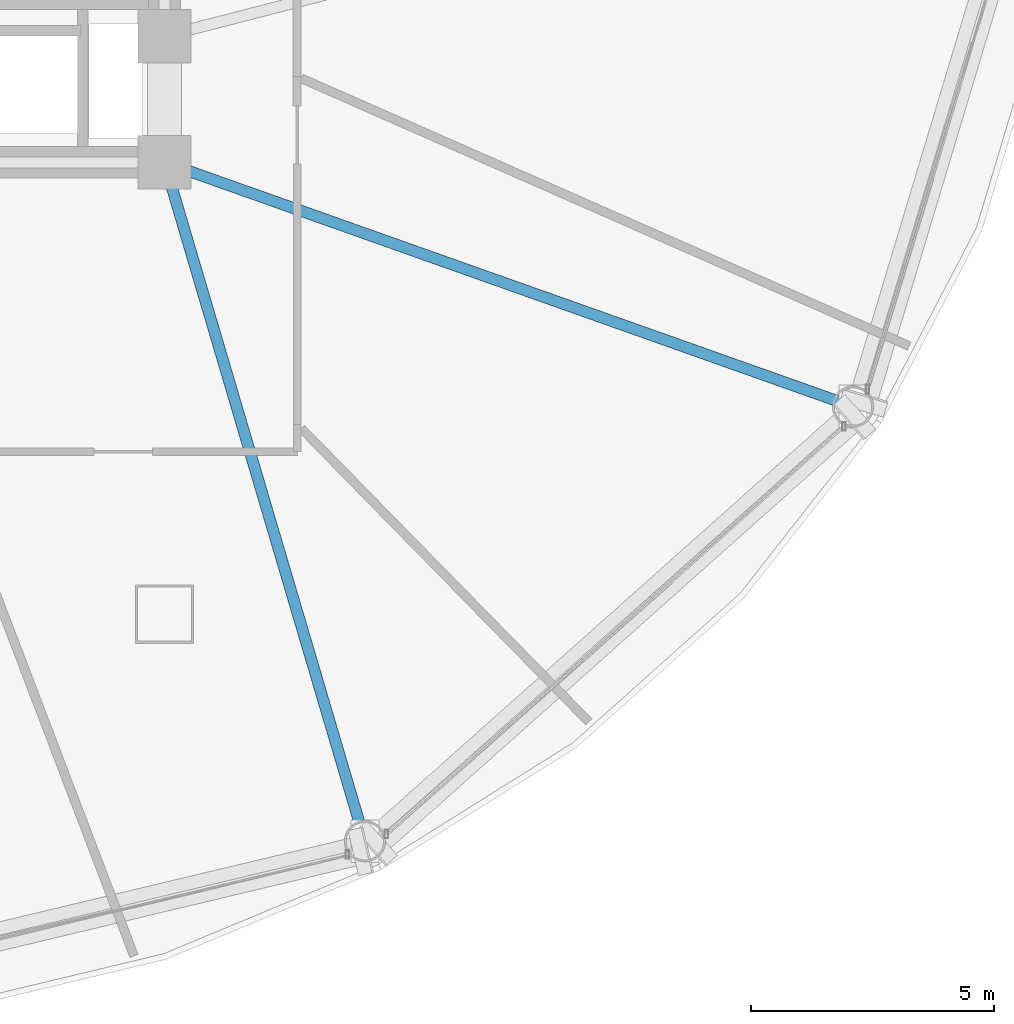
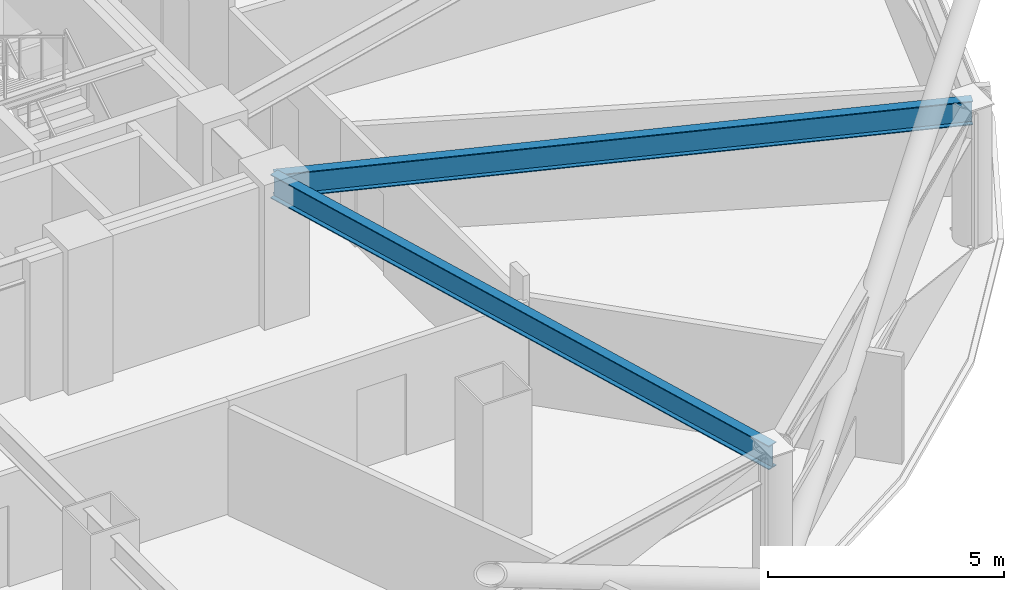
# One storey, part 9 of 30: 2 beams.
"""IFC4 building model written with IfcOpenShell, lengths in metres."""

from ifc_helpers import new_model, si_unit, direction, frame, origin, origin_2d, place, context, subcontext, project, spatial, i_section, extrude, material, material_profile, profile_set, type_object, element, save


model = new_model("IFC4")

# Units and contexts
model_context = context("Model", 3, precision=1e-05, world=origin(), true_north=direction((0.0, 1.0)))
body_context = subcontext(model_context, "Body", "Model", "MODEL_VIEW")
ifc_project = project(units=[si_unit("LENGTHUNIT", "METRE"), si_unit("AREAUNIT", "SQUARE_METRE"), si_unit("VOLUMEUNIT", "CUBIC_METRE"), si_unit("PLANEANGLEUNIT", "RADIAN"), si_unit("MASSUNIT", "GRAM", prefix="KILO")], contexts=[model_context])

# Site, building, storey
site_placement = place(None, origin())
site = spatial("IfcSite", under=ifc_project, at=site_placement, CompositionType="ELEMENT")
building_placement = place(site_placement, origin())
building = spatial("IfcBuilding", under=site, at=building_placement, Name="Vantalir Tower", CompositionType="ELEMENT")
storey_placement = place(building_placement, frame((0.0, 0.0, 57.0)))
storey = spatial("IfcBuildingStorey", under=building, at=storey_placement, Name="L13", CompositionType="ELEMENT", Elevation=57.0)

# Beams
ifc_material = material(Name="Steel S355", Category="steel")
ifc_material_profile = material_profile(ifc_material, i_section(OverallWidth=0.22998046875, OverallDepth=0.616943359375, WebThickness=0.01318359375, FlangeThickness=0.022216796875, at=origin_2d()), Name="Steel S355")
ifc_profile_set = profile_set([ifc_material_profile], Name="Steel S355")
beam_type = type_object("IfcBeamType", Name="BM-RB-610x229", PredefinedType="BEAM", material=ifc_profile_set)
beam_1_placement = place(storey_placement, frame((45.22607421875, 3.824951171875, 3.261962890625), z_axis=(-0.28315491657, 0.959074185463, 0.0), x_axis=(-0.959074185463, -0.28315491657, 0.0)))
element("IfcBeam", 1, at=beam_1_placement, inside=storey, type_object=beam_type, Name="L13 Radial Floor Beam 11", PredefinedType="BEAM", context=body_context, shape_type="SweptSolid", body=[
    extrude(i_section(OverallWidth=0.22998046875, OverallDepth=0.616943359375, WebThickness=0.01318359375, FlangeThickness=0.022216796875, at=origin_2d()), origin(), (0.0, 0.0, 1.0), 14.571533203125),
])
beam_2_placement = place(storey_placement, frame((55.27294921875, 12.77392578125, 3.261962890625), z_axis=(-0.942489624412, 0.334235407872, 0.0), x_axis=(-0.334235407872, -0.942489624412, 0.0)))
element("IfcBeam", 2, at=beam_2_placement, inside=storey, type_object=beam_type, Name="L13 Radial Floor Beam 12", PredefinedType="BEAM", context=body_context, shape_type="SweptSolid", body=[
    extrude(i_section(OverallWidth=0.22998046875, OverallDepth=0.616943359375, WebThickness=0.01318359375, FlangeThickness=0.022216796875, at=origin_2d()), origin(), (0.0, 0.0, 1.0), 15.03759765625),
])

save(model, "model.ifc")
